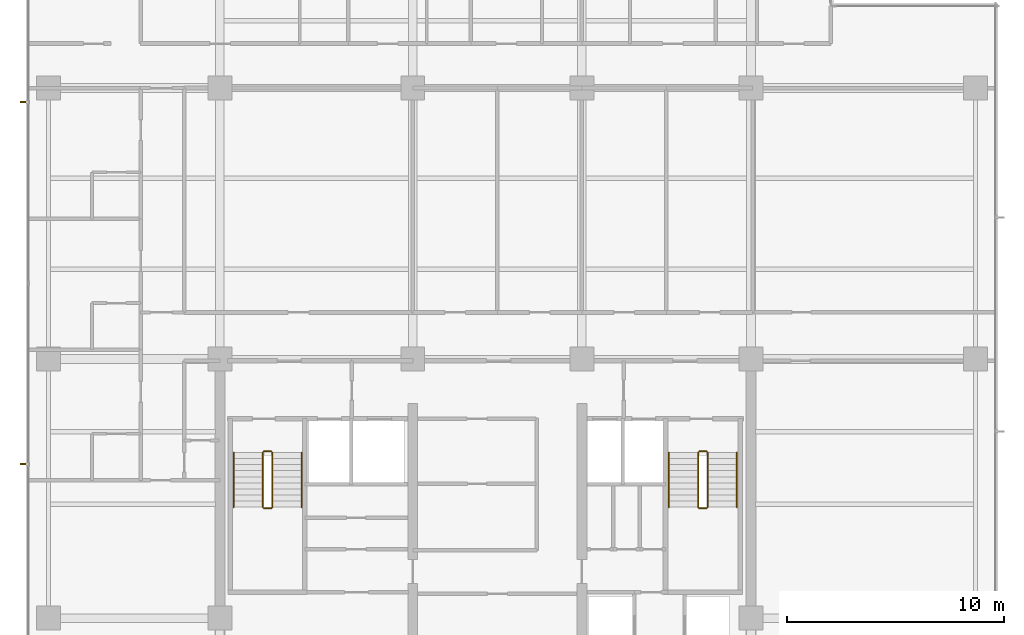
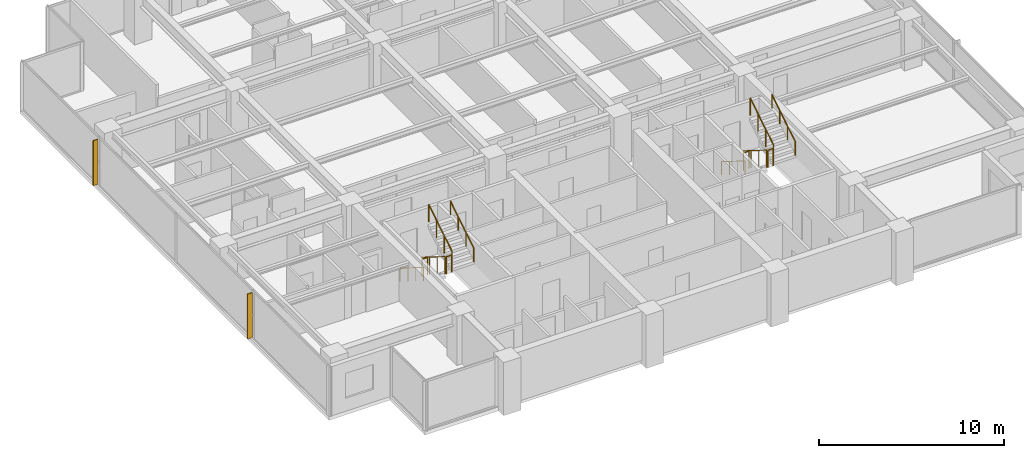
# One storey, part 13 of 14: 12 railings, 2 shading devices.
"""IFC4 building model written with IfcOpenShell, lengths in metres."""

from ifc_helpers import new_model, si_unit, direction, frame, origin, origin_2d, place, context, subcontext, project, spatial, polyline, circle, outline, extrude, material, layer, layer_set, type_object, element, save


model = new_model("IFC4")

# Units and contexts
model_context = context("Model", 3, precision=1e-05, world=origin(), true_north=direction((0.0, 1.0)))
body_context = subcontext(model_context, "Body", "Model", "MODEL_VIEW")
ifc_project = project(units=[si_unit("LENGTHUNIT", "METRE"), si_unit("AREAUNIT", "SQUARE_METRE"), si_unit("VOLUMEUNIT", "CUBIC_METRE"), si_unit("PLANEANGLEUNIT", "RADIAN"), si_unit("MASSUNIT", "GRAM", prefix="KILO")], contexts=[model_context])

# Site, building, storey
site_placement = place(None, origin())
site = spatial("IfcSite", under=ifc_project, at=site_placement, CompositionType="ELEMENT")
building_placement = place(site_placement, origin())
building = spatial("IfcBuilding", under=site, at=building_placement, Name="Qalmaran Belvedere Hotel", CompositionType="ELEMENT")
storey_placement = place(building_placement, frame((0.0, 0.0, 156.10009765625)))
storey = spatial("IfcBuildingStorey", under=building, at=storey_placement, Name="L39", CompositionType="ELEMENT", Elevation=156.10009765625)

# Shading devices
ifc_material_1 = material(Name="Anodised Bronze Aluminium", Category="aluminium")
ifc_layer = layer(ifc_material_1, 0.06494140625, Name="Anodised Bronze Aluminium")
ifc_layer_set = layer_set([ifc_layer], Name="Anodised Bronze Aluminium")
shading_device_type = type_object("IfcShadingDeviceType", Name="FIN-BRNZ-300", PredefinedType="USERDEFINED", material=ifc_layer_set)
shading_device_1_placement = place(storey_placement, frame((0.0, 0.0, 0.159912109375)))
element("IfcShadingDevice", 1, at=shading_device_1_placement, inside=storey, type_object=shading_device_type, Name="L39 Bronze Fin 1", ObjectType="FIN", PredefinedType="USERDEFINED", context=body_context, shape_type="SweptSolid", body=[
    extrude(outline(polyline([(11.3798828125, 32.382568359375), (11.080078125, 32.382568359375), (11.080078125, 32.3173828125), (11.3798828125, 32.3173828125), (11.3798828125, 32.382568359375)])), origin(), (0.0, 0.0, 1.0), 2.969970703125),
])
shading_device_2_placement = place(storey_placement, frame((0.0, 0.0, 0.159912109375)))
element("IfcShadingDevice", 2, at=shading_device_2_placement, inside=storey, type_object=shading_device_type, Name="L39 Bronze Fin 3", ObjectType="FIN", PredefinedType="USERDEFINED", context=body_context, shape_type="SweptSolid", body=[
    extrude(outline(polyline([(11.3798828125, 15.6826171875), (11.080078125, 15.6826171875), (11.080078125, 15.617431640625), (11.3798828125, 15.617431640625), (11.3798828125, 15.6826171875)])), origin(), (0.0, 0.0, 1.0), 2.969970703125),
])

# Railings
ifc_material_2 = material(Name="Stainless Steel 1.4401", Category="steel")
railing_type_1 = type_object("IfcRailingType", Name="RLG-STAIR-GUARD-1150", PredefinedType="GUARDRAIL", material=ifc_material_2)
railing_1_placement = place(storey_placement, frame((22.280029296875, 16.18994140625, 0.1748046875)))
element("IfcRailing", 3, at=railing_1_placement, inside=storey, type_object=railing_type_1, Name="L39 ST-1 stair guard 1", PredefinedType="GUARDRAIL", context=body_context, shape_type="SweptSolid", body=[
    extrude(circle(Radius=0.02392578125, at=origin_2d()), frame((0.0, 0.0, 1.1259765625), z_axis=(0.0, -0.847970611238, 0.530043245855), x_axis=(1.0, 0.0, 0.0)), (0.0, 0.0, 1.0), 2.971923828125),
    extrude(circle(Radius=0.02099609375, at=origin_2d()), origin(), (0.0, 0.0, 1.0), 1.101806640625),
    extrude(circle(Radius=0.02099609375, at=origin_2d()), frame((0.0, -0.840087890625, 0.525146484375)), (0.0, 0.0, 1.0), 1.101806640625),
    extrude(circle(Radius=0.02099609375, at=origin_2d()), frame((0.0, -1.679931640625, 1.050048828125)), (0.0, 0.0, 1.0), 1.101806640625),
    extrude(circle(Radius=0.02099609375, at=origin_2d()), frame((0.0, -2.52001953125, 1.5751953125)), (0.0, 0.0, 1.0), 1.101806640625),
])
railing_2_placement = place(storey_placement, frame((22.330078125, 13.6201171875, 1.75)))
element("IfcRailing", 4, at=railing_2_placement, inside=storey, type_object=railing_type_1, Name="L39 ST-1 stair guard 2", PredefinedType="GUARDRAIL", context=body_context, shape_type="SweptSolid", body=[
    extrude(circle(Radius=0.02392578125, at=origin_2d()), frame((0.0, 0.0, 1.1259765625), z_axis=(1.0, 0.0, 0.0), x_axis=(0.0, 1.0, 0.0)), (0.0, 0.0, 1.0), 0.33984375),
    extrude(circle(Radius=0.02099609375, at=origin_2d()), origin(), (0.0, 0.0, 1.0), 1.101806640625),
    extrude(circle(Radius=0.02099609375, at=origin_2d()), frame((0.33984375, 0.0, 0.0)), (0.0, 0.0, 1.0), 1.101806640625),
])
railing_3_placement = place(storey_placement, frame((22.719970703125, 13.669921875, 1.9248046875)))
element("IfcRailing", 5, at=railing_3_placement, inside=storey, type_object=railing_type_1, Name="L39 ST-1 stair guard 3", PredefinedType="GUARDRAIL", context=body_context, shape_type="SweptSolid", body=[
    extrude(circle(Radius=0.02392578125, at=origin_2d()), frame((0.0, 0.0, 1.1259765625), z_axis=(0.0, 0.847970611238, 0.530043245855), x_axis=(-1.0, 0.0, 0.0)), (0.0, 0.0, 1.0), 2.971923828125),
    extrude(circle(Radius=0.02099609375, at=origin_2d()), origin(), (0.0, 0.0, 1.0), 1.101806640625),
    extrude(circle(Radius=0.02099609375, at=origin_2d()), frame((0.0, 0.840087890625, 0.525146484375)), (0.0, 0.0, 1.0), 1.101806640625),
    extrude(circle(Radius=0.02099609375, at=origin_2d()), frame((0.0, 1.679931640625, 1.050048828125)), (0.0, 0.0, 1.0), 1.101806640625),
    extrude(circle(Radius=0.02099609375, at=origin_2d()), frame((0.0, 2.52001953125, 1.5751953125)), (0.0, 0.0, 1.0), 1.101806640625),
])
railing_4_placement = place(storey_placement, frame((22.330078125, 16.239990234375, 0.0)))
element("IfcRailing", 6, at=railing_4_placement, inside=storey, type_object=railing_type_1, Name="L39 ST-1 stair guard 4", PredefinedType="GUARDRAIL", context=body_context, shape_type="SweptSolid", body=[
    extrude(circle(Radius=0.02392578125, at=origin_2d()), frame((0.0, 0.0, 1.1259765625), z_axis=(1.0, 0.0, 0.0), x_axis=(0.0, 1.0, 0.0)), (0.0, 0.0, 1.0), 0.33984375),
    extrude(circle(Radius=0.02099609375, at=origin_2d()), origin(), (0.0, 0.0, 1.0), 1.101806640625),
    extrude(circle(Radius=0.02099609375, at=origin_2d()), frame((0.33984375, 0.0, 0.0)), (0.0, 0.0, 1.0), 1.101806640625),
])
railing_5_placement = place(storey_placement, frame((42.360107421875, 16.18994140625, 0.1748046875)))
element("IfcRailing", 7, at=railing_5_placement, inside=storey, type_object=railing_type_1, Name="L39 ST-2 stair guard 1", PredefinedType="GUARDRAIL", context=body_context, shape_type="SweptSolid", body=[
    extrude(circle(Radius=0.02392578125, at=origin_2d()), frame((0.0, 0.0, 1.1259765625), z_axis=(0.0, -0.847970611238, 0.530043245855), x_axis=(1.0, 0.0, 0.0)), (0.0, 0.0, 1.0), 2.971923828125),
    extrude(circle(Radius=0.02099609375, at=origin_2d()), origin(), (0.0, 0.0, 1.0), 1.101806640625),
    extrude(circle(Radius=0.02099609375, at=origin_2d()), frame((0.0, -0.840087890625, 0.525146484375)), (0.0, 0.0, 1.0), 1.101806640625),
    extrude(circle(Radius=0.02099609375, at=origin_2d()), frame((0.0, -1.679931640625, 1.050048828125)), (0.0, 0.0, 1.0), 1.101806640625),
    extrude(circle(Radius=0.02099609375, at=origin_2d()), frame((0.0, -2.52001953125, 1.5751953125)), (0.0, 0.0, 1.0), 1.101806640625),
])
railing_6_placement = place(storey_placement, frame((42.409912109375, 13.6201171875, 1.75)))
element("IfcRailing", 8, at=railing_6_placement, inside=storey, type_object=railing_type_1, Name="L39 ST-2 stair guard 2", PredefinedType="GUARDRAIL", context=body_context, shape_type="SweptSolid", body=[
    extrude(circle(Radius=0.02392578125, at=origin_2d()), frame((0.0, 0.0, 1.1259765625), z_axis=(1.0, 0.0, 0.0), x_axis=(0.0, 1.0, 0.0)), (0.0, 0.0, 1.0), 0.340087890625),
    extrude(circle(Radius=0.02099609375, at=origin_2d()), origin(), (0.0, 0.0, 1.0), 1.101806640625),
    extrude(circle(Radius=0.02099609375, at=origin_2d()), frame((0.340087890625, 0.0, 0.0)), (0.0, 0.0, 1.0), 1.101806640625),
])
railing_7_placement = place(storey_placement, frame((42.800048828125, 13.669921875, 1.9248046875)))
element("IfcRailing", 9, at=railing_7_placement, inside=storey, type_object=railing_type_1, Name="L39 ST-2 stair guard 3", PredefinedType="GUARDRAIL", context=body_context, shape_type="SweptSolid", body=[
    extrude(circle(Radius=0.02392578125, at=origin_2d()), frame((0.0, 0.0, 1.1259765625), z_axis=(0.0, 0.847970611238, 0.530043245855), x_axis=(-1.0, 0.0, 0.0)), (0.0, 0.0, 1.0), 2.971923828125),
    extrude(circle(Radius=0.02099609375, at=origin_2d()), origin(), (0.0, 0.0, 1.0), 1.101806640625),
    extrude(circle(Radius=0.02099609375, at=origin_2d()), frame((0.0, 0.840087890625, 0.525146484375)), (0.0, 0.0, 1.0), 1.101806640625),
    extrude(circle(Radius=0.02099609375, at=origin_2d()), frame((0.0, 1.679931640625, 1.050048828125)), (0.0, 0.0, 1.0), 1.101806640625),
    extrude(circle(Radius=0.02099609375, at=origin_2d()), frame((0.0, 2.52001953125, 1.5751953125)), (0.0, 0.0, 1.0), 1.101806640625),
])
railing_8_placement = place(storey_placement, frame((42.409912109375, 16.239990234375, 0.0)))
element("IfcRailing", 10, at=railing_8_placement, inside=storey, type_object=railing_type_1, Name="L39 ST-2 stair guard 4", PredefinedType="GUARDRAIL", context=body_context, shape_type="SweptSolid", body=[
    extrude(circle(Radius=0.02392578125, at=origin_2d()), frame((0.0, 0.0, 1.1259765625), z_axis=(1.0, 0.0, 0.0), x_axis=(0.0, 1.0, 0.0)), (0.0, 0.0, 1.0), 0.340087890625),
    extrude(circle(Radius=0.02099609375, at=origin_2d()), origin(), (0.0, 0.0, 1.0), 1.101806640625),
    extrude(circle(Radius=0.02099609375, at=origin_2d()), frame((0.340087890625, 0.0, 0.0)), (0.0, 0.0, 1.0), 1.101806640625),
])
railing_type_2 = type_object("IfcRailingType", Name="RLG-STAIR-HAND-910", PredefinedType="HANDRAIL", material=ifc_material_2)
railing_9_placement = place(storey_placement, frame((20.929931640625, 16.18994140625, 0.1748046875)))
element("IfcRailing", 11, at=railing_9_placement, inside=storey, type_object=railing_type_2, Name="L39 ST-1 stair handrail 1", PredefinedType="HANDRAIL", context=body_context, shape_type="SweptSolid", body=[
    extrude(circle(Radius=0.02392578125, at=origin_2d()), frame((0.0, 0.0, 0.8857421875), z_axis=(0.0, -0.847970611238, 0.530043245855), x_axis=(1.0, 0.0, 0.0)), (0.0, 0.0, 1.0), 2.971923828125),
    extrude(circle(Radius=0.02099609375, at=origin_2d()), origin(), (0.0, 0.0, 1.0), 0.86181640625),
    extrude(circle(Radius=0.02099609375, at=origin_2d()), frame((0.0, -0.840087890625, 0.525146484375)), (0.0, 0.0, 1.0), 0.86181640625),
    extrude(circle(Radius=0.02099609375, at=origin_2d()), frame((0.0, -1.679931640625, 1.050048828125)), (0.0, 0.0, 1.0), 0.86181640625),
    extrude(circle(Radius=0.02099609375, at=origin_2d()), frame((0.0, -2.52001953125, 1.5751953125)), (0.0, 0.0, 1.0), 0.86181640625),
])
railing_10_placement = place(storey_placement, frame((24.070068359375, 13.669921875, 1.9248046875)))
element("IfcRailing", 12, at=railing_10_placement, inside=storey, type_object=railing_type_2, Name="L39 ST-1 stair handrail 2", PredefinedType="HANDRAIL", context=body_context, shape_type="SweptSolid", body=[
    extrude(circle(Radius=0.02392578125, at=origin_2d()), frame((0.0, 0.0, 0.8857421875), z_axis=(0.0, 0.847970611238, 0.530043245855), x_axis=(-1.0, 0.0, 0.0)), (0.0, 0.0, 1.0), 2.971923828125),
    extrude(circle(Radius=0.02099609375, at=origin_2d()), origin(), (0.0, 0.0, 1.0), 0.86181640625),
    extrude(circle(Radius=0.02099609375, at=origin_2d()), frame((0.0, 0.840087890625, 0.525146484375)), (0.0, 0.0, 1.0), 0.86181640625),
    extrude(circle(Radius=0.02099609375, at=origin_2d()), frame((0.0, 1.679931640625, 1.050048828125)), (0.0, 0.0, 1.0), 0.86181640625),
    extrude(circle(Radius=0.02099609375, at=origin_2d()), frame((0.0, 2.52001953125, 1.5751953125)), (0.0, 0.0, 1.0), 0.86181640625),
])
railing_11_placement = place(storey_placement, frame((41.010009765625, 16.18994140625, 0.1748046875)))
element("IfcRailing", 13, at=railing_11_placement, inside=storey, type_object=railing_type_2, Name="L39 ST-2 stair handrail 1", PredefinedType="HANDRAIL", context=body_context, shape_type="SweptSolid", body=[
    extrude(circle(Radius=0.02392578125, at=origin_2d()), frame((0.0, 0.0, 0.8857421875), z_axis=(0.0, -0.847970611238, 0.530043245855), x_axis=(1.0, 0.0, 0.0)), (0.0, 0.0, 1.0), 2.971923828125),
    extrude(circle(Radius=0.02099609375, at=origin_2d()), origin(), (0.0, 0.0, 1.0), 0.86181640625),
    extrude(circle(Radius=0.02099609375, at=origin_2d()), frame((0.0, -0.840087890625, 0.525146484375)), (0.0, 0.0, 1.0), 0.86181640625),
    extrude(circle(Radius=0.02099609375, at=origin_2d()), frame((0.0, -1.679931640625, 1.050048828125)), (0.0, 0.0, 1.0), 0.86181640625),
    extrude(circle(Radius=0.02099609375, at=origin_2d()), frame((0.0, -2.52001953125, 1.5751953125)), (0.0, 0.0, 1.0), 0.86181640625),
])
railing_12_placement = place(storey_placement, frame((44.14990234375, 13.669921875, 1.9248046875)))
element("IfcRailing", 14, at=railing_12_placement, inside=storey, type_object=railing_type_2, Name="L39 ST-2 stair handrail 2", PredefinedType="HANDRAIL", context=body_context, shape_type="SweptSolid", body=[
    extrude(circle(Radius=0.02392578125, at=origin_2d()), frame((0.0, 0.0, 0.8857421875), z_axis=(0.0, 0.847970611238, 0.530043245855), x_axis=(-1.0, 0.0, 0.0)), (0.0, 0.0, 1.0), 2.971923828125),
    extrude(circle(Radius=0.02099609375, at=origin_2d()), origin(), (0.0, 0.0, 1.0), 0.86181640625),
    extrude(circle(Radius=0.02099609375, at=origin_2d()), frame((0.0, 0.840087890625, 0.525146484375)), (0.0, 0.0, 1.0), 0.86181640625),
    extrude(circle(Radius=0.02099609375, at=origin_2d()), frame((0.0, 1.679931640625, 1.050048828125)), (0.0, 0.0, 1.0), 0.86181640625),
    extrude(circle(Radius=0.02099609375, at=origin_2d()), frame((0.0, 2.52001953125, 1.5751953125)), (0.0, 0.0, 1.0), 0.86181640625),
])

save(model, "model.ifc")
